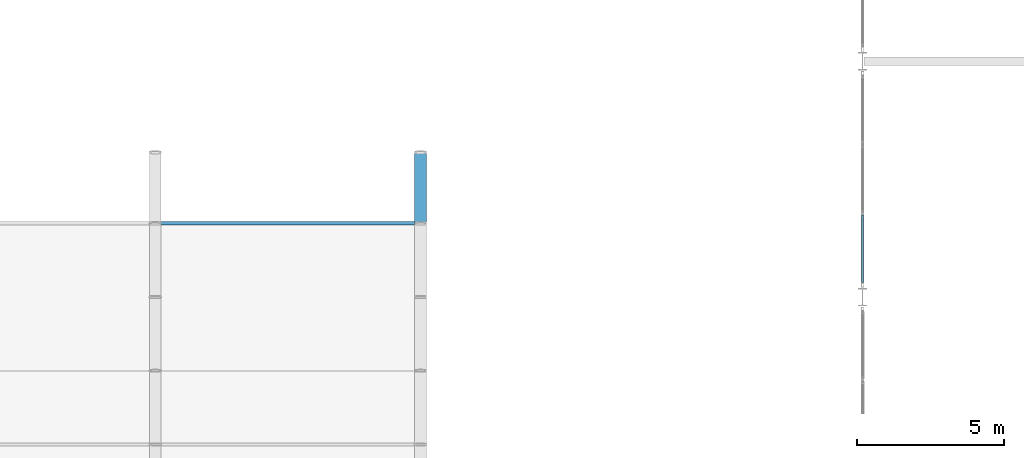
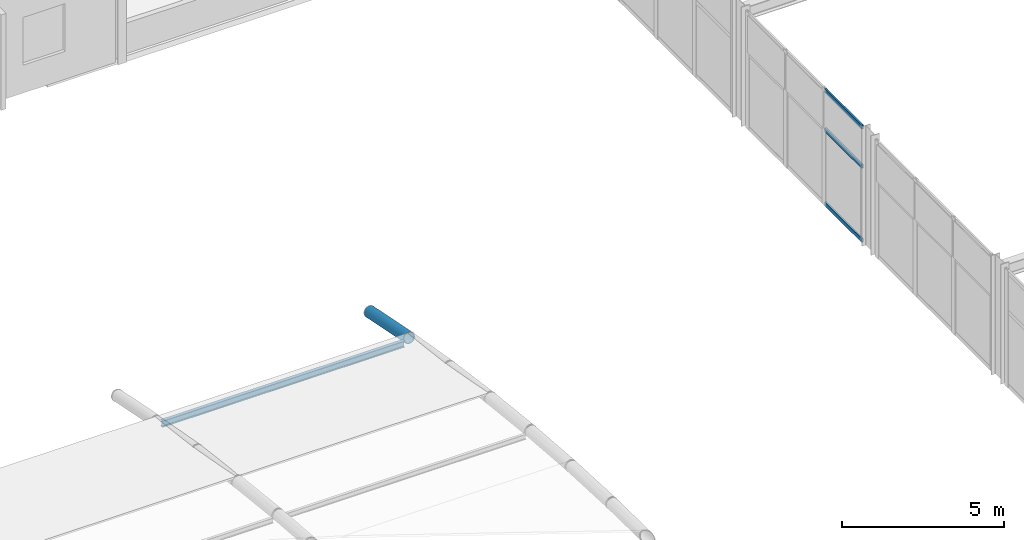
# One storey, part 29 of 105: 5 members, 1 element without a shape of its own.
"""IFC4 building model written with IfcOpenShell, lengths in metres."""

from ifc_helpers import new_model, si_unit, direction, frame, origin, origin_2d, place, context, subcontext, project, spatial, hollow_rectangle, hollow_circle, i_section, extrude, material, layer, layer_set, material_profile, profile_set, type_object, element, aggregate, save


model = new_model("IFC4")

# Units and contexts
model_context = context("Model", 3, precision=1e-05, world=origin(), true_north=direction((0.0, 1.0)))
body_context = subcontext(model_context, "Body", "Model", "MODEL_VIEW")
ifc_project = project(units=[si_unit("LENGTHUNIT", "METRE"), si_unit("AREAUNIT", "SQUARE_METRE"), si_unit("VOLUMEUNIT", "CUBIC_METRE"), si_unit("PLANEANGLEUNIT", "RADIAN"), si_unit("MASSUNIT", "GRAM", prefix="KILO")], contexts=[model_context])

# Site, building, storey
site_placement = place(None, origin())
site = spatial("IfcSite", under=ifc_project, at=site_placement, CompositionType="ELEMENT")
building_placement = place(site_placement, origin())
building = spatial("IfcBuilding", under=site, at=building_placement, Name="Marlcrest Central Station", CompositionType="ELEMENT")
storey_placement = place(building_placement, frame((0.0, 0.0, 15.0)))
storey = spatial("IfcBuildingStorey", under=building, at=storey_placement, Name="L03", CompositionType="ELEMENT", Elevation=15.0)

# Members
ifc_material_1 = material(Name="Steel S355", Category="steel")
ifc_material_profile_1 = material_profile(ifc_material_1, hollow_circle(Radius=0.203125, WallThickness=0.02001953125, at=origin_2d()), Name="CHS 406.4x20")
ifc_profile_set_1 = profile_set([ifc_material_profile_1], Name="Steel S355")
member_type_1 = type_object("IfcMemberType", Name="AC-01", PredefinedType="CHORD", material=ifc_profile_set_1)
member_1_placement = place(storey_placement, frame((72.0, 81.0, 0.40380859375), z_axis=(0.0, 0.980359417961, -0.197219196874), x_axis=(-1.0, 0.0, 0.0)))
element("IfcMember", 1, at=member_1_placement, inside=storey, type_object=member_type_1, Name="mem-AC-01-L03-01063", PredefinedType="CHORD", context=body_context, shape_type="SweptSolid", body=[
    extrude(hollow_circle(Radius=0.203125, WallThickness=0.02001953125, at=origin_2d()), origin(), (0.0, 0.0, 1.0), 2.468505859375),
])
ifc_material_profile_2 = material_profile(ifc_material_1, i_section(OverallWidth=0.1201171875, OverallDepth=0.239990234375, WebThickness=0.006103515625, FlangeThickness=0.009765625, FilletRadius=0.014892578125, at=origin_2d()), Name="IPE 240")
ifc_profile_set_2 = profile_set([ifc_material_profile_2], Name="Steel S355")
member_type_2 = type_object("IfcMemberType", Name="PR-02", PredefinedType="PURLIN", material=ifc_profile_set_2)
member_2_placement = place(storey_placement, frame((63.179931640625, 81.0, 0.263916015625), z_axis=(1.0, 0.0, 0.0), x_axis=(0.0, 1.0, 0.0)))
element("IfcMember", 2, at=member_2_placement, inside=storey, type_object=member_type_2, Name="mem-PR-02-L03-00983", PredefinedType="PURLIN", context=body_context, shape_type="SweptSolid", body=[
    extrude(i_section(OverallWidth=0.1201171875, OverallDepth=0.239990234375, WebThickness=0.006103515625, FlangeThickness=0.009765625, FilletRadius=0.014892578125, at=origin_2d()), origin(), (0.0, 0.0, 1.0), 8.64013671875),
])

# Curtain wall, members
ifc_material_2 = material(Name="Anodised aluminium and hurricane laminated glass", Category="aluminium")
ifc_layer = layer(ifc_material_2, 0.219970703125, Name="CW-U1")
ifc_layer_set = layer_set([ifc_layer], Name="Anodised aluminium and hurricane laminated glass")
curtain_wall_type = type_object("IfcCurtainWallType", Name="CW-U1", PredefinedType="USERDEFINED", material=ifc_layer_set)
curtain_wall_placement = place(storey_placement, origin())
curtain_wall = element("IfcCurtainWall", 3, at=curtain_wall_placement, inside=storey, type_object=curtain_wall_type, Name="cw-L03-0129", ObjectType="UNITISED_CURTAIN_WALL", PredefinedType="USERDEFINED")
ifc_material_3 = material(Name="Anodised aluminium 6063-T6", Category="aluminium")
ifc_material_profile_3 = material_profile(ifc_material_3, hollow_rectangle(XDim=0.06005859375, YDim=0.14990234375, WallThickness=0.00390625, at=origin_2d()), Name="AA-RHS 150x60x4")
ifc_profile_set_3 = profile_set([ifc_material_profile_3], Name="Anodised aluminium 6063-T6")
member_type_3 = type_object("IfcMemberType", Name="TR-01", PredefinedType="USERDEFINED", material=ifc_profile_set_3)
member_3_placement = place(storey_placement, frame((87.0, 78.988037109375, 0.0400390625), z_axis=(0.0, 1.0, 0.0), x_axis=(-1.0, 0.0, 0.0)))
member_3 = element("IfcMember", 4, at=member_3_placement, type_object=member_type_3, Name="cw-L03-0129-tr-0-sill", ObjectType="TRANSOM", PredefinedType="USERDEFINED", context=body_context, shape_type="SweptSolid", body=[
    extrude(hollow_rectangle(XDim=0.06005859375, YDim=0.14990234375, WallThickness=0.00390625, at=origin_2d()), origin(), (0.0, 0.0, 1.0), 2.290771484375),
])
member_4_placement = place(storey_placement, frame((87.0, 78.988037109375, 2.827880859375), z_axis=(0.0, 1.0, 0.0), x_axis=(-1.0, 0.0, 0.0)))
member_4 = element("IfcMember", 5, at=member_4_placement, type_object=member_type_3, Name="cw-L03-0129-tr-0-mid", ObjectType="TRANSOM", PredefinedType="USERDEFINED", context=body_context, shape_type="SweptSolid", body=[
    extrude(hollow_rectangle(XDim=0.06005859375, YDim=0.14990234375, WallThickness=0.00390625, at=origin_2d()), origin(), (0.0, 0.0, 1.0), 2.290771484375),
])
member_5_placement = place(storey_placement, frame((87.0, 78.988037109375, 4.31005859375), z_axis=(0.0, 1.0, 0.0), x_axis=(-1.0, 0.0, 0.0)))
member_5 = element("IfcMember", 6, at=member_5_placement, type_object=member_type_3, Name="cw-L03-0129-tr-0-head", ObjectType="TRANSOM", PredefinedType="USERDEFINED", context=body_context, shape_type="SweptSolid", body=[
    extrude(hollow_rectangle(XDim=0.06005859375, YDim=0.14990234375, WallThickness=0.00390625, at=origin_2d()), origin(), (0.0, 0.0, 1.0), 2.290771484375),
])
aggregate(curtain_wall, [member_3, member_4, member_5])

save(model, "model.ifc")
